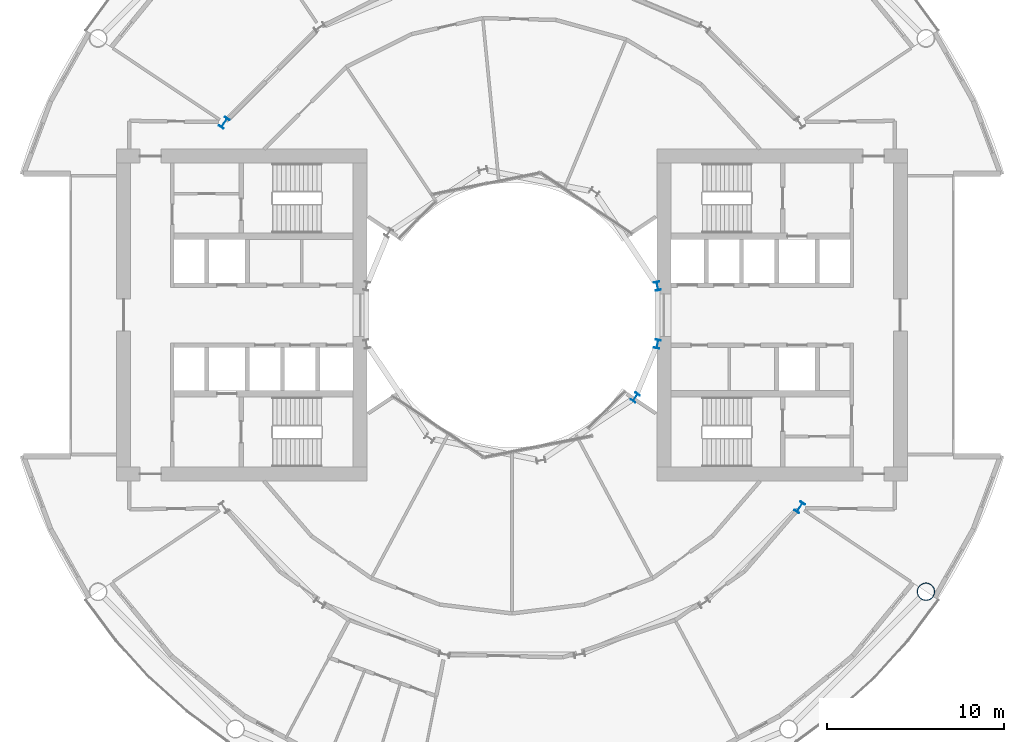
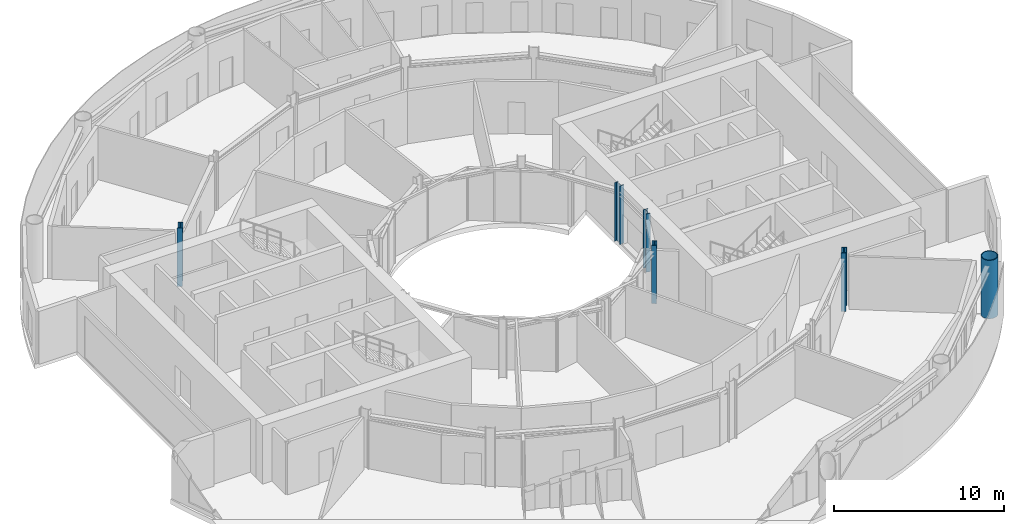
# One storey, part 2 of 19: 6 columns.
"""IFC4 building model written with IfcOpenShell, lengths in metres."""

from ifc_helpers import new_model, si_unit, direction, frame, origin, origin_2d, place, context, subcontext, project, spatial, hollow_circle, i_section, extrude, material, material_profile, profile_set, type_object, element, save


model = new_model("IFC4")

# Units and contexts
model_context = context("Model", 3, precision=1e-05, world=origin(), true_north=direction((0.0, 1.0)))
body_context = subcontext(model_context, "Body", "Model", "MODEL_VIEW")
ifc_project = project(units=[si_unit("LENGTHUNIT", "METRE"), si_unit("AREAUNIT", "SQUARE_METRE"), si_unit("VOLUMEUNIT", "CUBIC_METRE"), si_unit("PLANEANGLEUNIT", "RADIAN"), si_unit("MASSUNIT", "GRAM", prefix="KILO")], contexts=[model_context])

# Site, building, storey
site_placement = place(None, origin())
site = spatial("IfcSite", under=ifc_project, at=site_placement, CompositionType="ELEMENT")
building_placement = place(site_placement, origin())
building = spatial("IfcBuilding", under=site, at=building_placement, Name="Maasbend Ring Residences", CompositionType="ELEMENT")
storey_placement = place(building_placement, frame((0.0, 0.0, 53.300048828125)))
storey = spatial("IfcBuildingStorey", under=building, at=storey_placement, Name="L15", CompositionType="ELEMENT", Elevation=53.300048828125)

# Columns
ifc_material_1 = material(Name="Composite concrete-filled steel tube S460NH / C80/95", Category="concrete")
ifc_material_profile_1 = material_profile(ifc_material_1, hollow_circle(Radius=0.508056640625, WallThickness=0.050048828125, at=origin_2d()), Name="Composite tube column CHS 1016x50")
ifc_profile_set_1 = profile_set([ifc_material_profile_1], Name="Composite concrete-filled steel tube S460NH / C80/95")
column_type_1 = type_object("IfcColumnType", Name="Composite tube column CHS 1016x50", PredefinedType="COLUMN", material=ifc_profile_set_1)
column_placement = place(storey_placement, frame((23.447509765625, -15.6669921875, 0.0), z_axis=(0.0, 0.0, 1.0), x_axis=(1.0, 0.0, 0.0)))
element("IfcColumn", 1, at=column_placement, inside=storey, type_object=column_type_1, Name="Outer column R15", PredefinedType="COLUMN", context=body_context, shape_type="SweptSolid", body=[
    extrude(hollow_circle(Radius=0.508056640625, WallThickness=0.050048828125, at=origin_2d()), origin(), (0.0, 0.0, 1.0), 4.199951171875),
])
ifc_material_2 = material(Name="Steel S355J2", Category="steel")
ifc_material_profile_2 = material_profile(ifc_material_2, i_section(OverallWidth=0.300048828125, OverallDepth=0.5, WebThickness=0.014404296875, FlangeThickness=0.028076171875, FilletRadius=0.027099609375, at=origin_2d()), Name="HEB 500")
ifc_profile_set_2 = profile_set([ifc_material_profile_2], Name="Steel S355J2")
column_type_2 = type_object("IfcColumnType", Name="Steel column HEB 500", PredefinedType="COLUMN", material=ifc_profile_set_2)
for number, where, z_axis, x_axis, name in (
    (2, (8.238525390625, 1.638916015625, 0.0), (0.0, 0.0, 1.0), (0.980785280403, 0.195090322016, 0.0), "Well ring column R1"),
    (3, (6.984375, -4.666748046875, 0.0), (0.0, 0.0, 1.0), (0.831469612303, -0.55557023302, 0.0), "Well ring column R15"),
    (4, (8.238525390625, -1.638916015625, 0.0), (0.0, 0.0, 1.0), (0.980785280403, -0.195090322016, 0.0), "Well ring column R16"),
):
    element("IfcColumn", number, at=place(storey_placement, frame(where, z_axis=z_axis, x_axis=x_axis)), inside=storey, type_object=column_type_2, Name=name, PredefinedType="COLUMN", context=body_context, shape_type="SweptSolid", body=[
        extrude(i_section(OverallWidth=0.300048828125, OverallDepth=0.5, WebThickness=0.014404296875, FlangeThickness=0.028076171875, FilletRadius=0.027099609375, at=origin_2d()), origin(), (0.0, 0.0, 1.0), 4.199951171875),
    ])
ifc_material_3 = material(Name="Steel S460M", Category="steel")
ifc_material_profile_3 = material_profile(ifc_material_3, i_section(OverallWidth=0.304931640625, OverallDepth=0.6201171875, WebThickness=0.02099609375, FlangeThickness=0.0400390625, FilletRadius=0.027099609375, at=origin_2d()), Name="HEM 600")
ifc_profile_set_3 = profile_set([ifc_material_profile_3], Name="Steel S460M")
column_type_3 = type_object("IfcColumnType", Name="Steel column HEM 600", PredefinedType="COLUMN", material=ifc_profile_set_3)
for number, where, z_axis, x_axis, name in (
    (5, (-16.296875, 10.88916015625, 0.0), (0.0, 0.0, 1.0), (-0.831469612303, 0.55557023302, 0.0), "Corridor ring column R7"),
    (6, (16.296875, -10.88916015625, 0.0), (0.0, 0.0, 1.0), (0.831469612303, -0.55557023302, 0.0), "Corridor ring column R15"),
):
    element("IfcColumn", number, at=place(storey_placement, frame(where, z_axis=z_axis, x_axis=x_axis)), inside=storey, type_object=column_type_3, Name=name, PredefinedType="COLUMN", context=body_context, shape_type="SweptSolid", body=[
        extrude(i_section(OverallWidth=0.304931640625, OverallDepth=0.6201171875, WebThickness=0.02099609375, FlangeThickness=0.0400390625, FilletRadius=0.027099609375, at=origin_2d()), origin(), (0.0, 0.0, 1.0), 4.199951171875),
    ])

save(model, "model.ifc")
